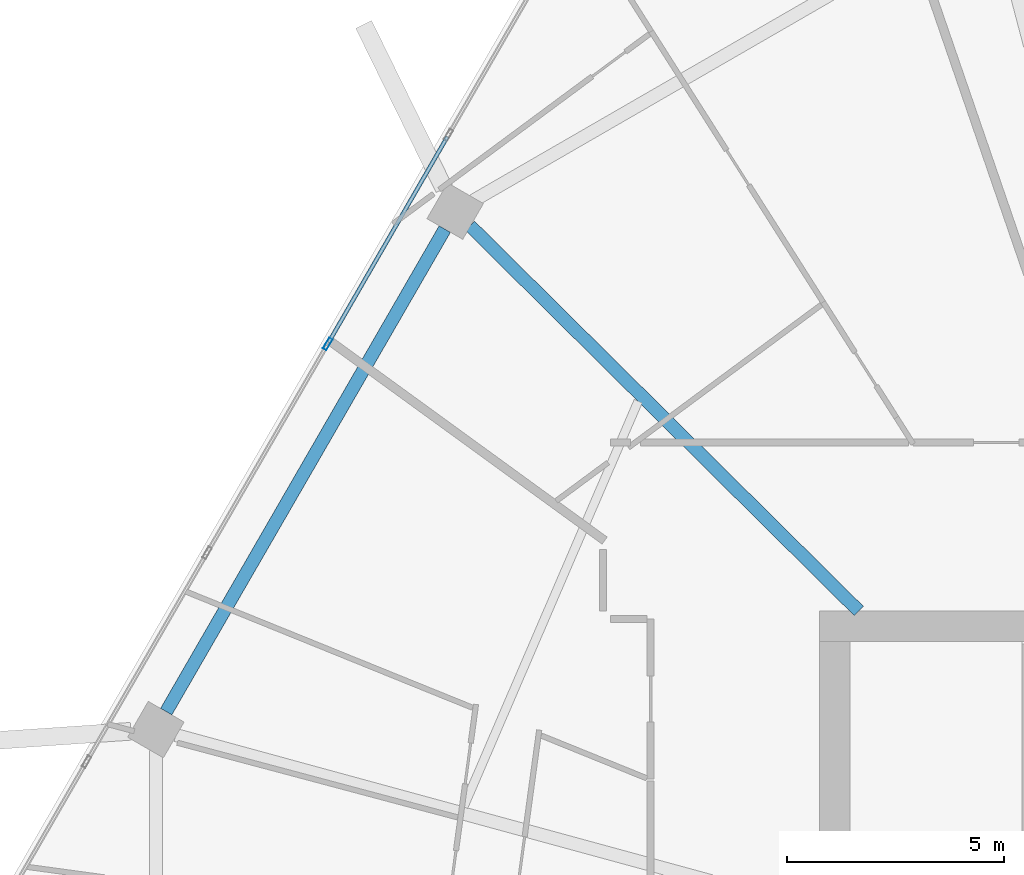
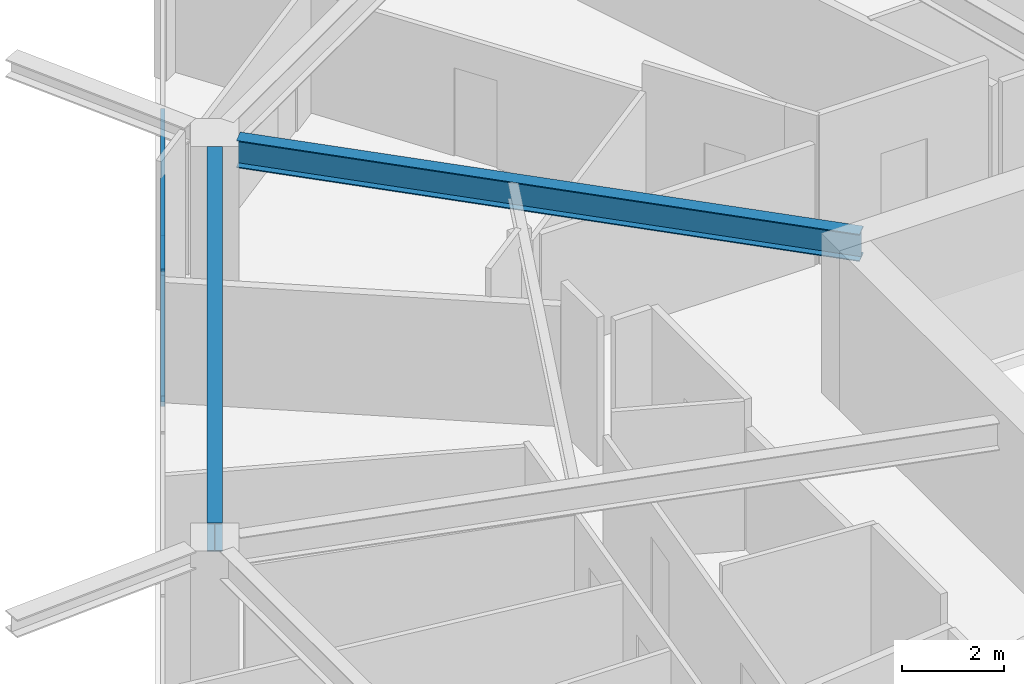
# One storey, part 11 of 26: 3 members, 2 beams, 1 element without a shape of its own.
"""IFC4 building model written with IfcOpenShell, lengths in metres."""

from ifc_helpers import new_model, si_unit, direction, frame, origin, origin_2d, place, context, subcontext, project, spatial, hollow_rectangle, i_section, extrude, material, material_profile, profile_set, type_object, element, aggregate, save


model = new_model("IFC4")

# Units and contexts
model_context = context("Model", 3, precision=1e-05, world=origin(), true_north=direction((0.0, 1.0)))
body_context = subcontext(model_context, "Body", "Model", "MODEL_VIEW")
ifc_project = project(units=[si_unit("LENGTHUNIT", "METRE"), si_unit("AREAUNIT", "SQUARE_METRE"), si_unit("VOLUMEUNIT", "CUBIC_METRE"), si_unit("PLANEANGLEUNIT", "RADIAN"), si_unit("MASSUNIT", "GRAM", prefix="KILO")], contexts=[model_context])

# Site, building, storey
site_placement = place(None, origin())
site = spatial("IfcSite", under=ifc_project, at=site_placement, CompositionType="ELEMENT")
building_placement = place(site_placement, origin())
building = spatial("IfcBuilding", under=site, at=building_placement, Name="Zuhravey Tower", CompositionType="ELEMENT")
storey_placement = place(building_placement, frame((0.0, 0.0, 203.60009765625)))
storey = spatial("IfcBuildingStorey", under=building, at=storey_placement, Name="L51", CompositionType="ELEMENT", Elevation=203.60009765625)

# Curtain wall, members
ifc_material_1 = material(Name="Thermally broken anodised aluminium", Category="aluminium")
curtain_wall_type = type_object("IfcCurtainWallType", Name="Zone 1-2 Residential Curtain Wall CW3", PredefinedType="NOTDEFINED", material=ifc_material_1)
curtain_wall_placement = place(storey_placement, origin())
curtain_wall = element("IfcCurtainWall", 1, at=curtain_wall_placement, inside=storey, type_object=curtain_wall_type, Name="L51 CW3 CW-L51-F3-1", PredefinedType="NOTDEFINED")
ifc_material_2 = material(Name="Anodised aluminium", Category="aluminium")
ifc_material_profile_1 = material_profile(ifc_material_2, hollow_rectangle(XDim=0.090087890625, YDim=0.284912109375, WallThickness=0.0048828125, at=origin_2d()), Name="ALU-RHS-90x285x5")
ifc_profile_set_1 = profile_set([ifc_material_profile_1], Name="Anodised aluminium")
member_type_1 = type_object("IfcMemberType", Name="Curtain-Wall Mullion 90x180", PredefinedType="MULLION", material=ifc_profile_set_1)
member_1_placement = place(storey_placement, frame((13.844970703125, 47.992431640625, 0.0), z_axis=(0.0, 0.0, 1.0), x_axis=(-0.866025138215, 0.500000459979, 0.0)))
member_1 = element("IfcMember", 2, at=member_1_placement, type_object=member_type_1, Name="CW3 mullion 4", PredefinedType="MULLION", context=body_context, shape_type="SweptSolid", body=[
    extrude(hollow_rectangle(XDim=0.090087890625, YDim=0.284912109375, WallThickness=0.0048828125, at=origin_2d()), origin(), (0.0, 0.0, 1.0), 3.121826171875),
])
ifc_material_profile_2 = material_profile(ifc_material_2, hollow_rectangle(XDim=0.090087890625, YDim=0.14990234375, WallThickness=0.0048828125, at=origin_2d()), Name="ALU-RHS-90x150x5")
ifc_profile_set_2 = profile_set([ifc_material_profile_2], Name="Anodised aluminium")
member_type_2 = type_object("IfcMemberType", Name="Curtain-Wall Transom 90x150", PredefinedType="USERDEFINED", material=ifc_profile_set_2)
member_2_placement = place(storey_placement, frame((13.867431640625, 48.03125, 0.044921875), z_axis=(0.49996138257, 0.86604769842, 0.0), x_axis=(-0.86604769842, 0.49996138257, 0.0)))
member_2 = element("IfcMember", 3, at=member_2_placement, type_object=member_type_2, Name="CW3 transom 4.1", ObjectType="TRANSOM", PredefinedType="USERDEFINED", context=body_context, shape_type="SweptSolid", body=[
    extrude(hollow_rectangle(XDim=0.090087890625, YDim=0.14990234375, WallThickness=0.0048828125, at=origin_2d()), origin(), (0.0, 0.0, 1.0), 5.45458984375),
])
member_3_placement = place(storey_placement, frame((13.867431640625, 48.03125, 3.076904296875), z_axis=(0.49996138257, 0.86604769842, 0.0), x_axis=(-0.86604769842, 0.49996138257, 0.0)))
member_3 = element("IfcMember", 4, at=member_3_placement, type_object=member_type_2, Name="CW3 transom 4.2", ObjectType="TRANSOM", PredefinedType="USERDEFINED", context=body_context, shape_type="SweptSolid", body=[
    extrude(hollow_rectangle(XDim=0.090087890625, YDim=0.14990234375, WallThickness=0.0048828125, at=origin_2d()), origin(), (0.0, 0.0, 1.0), 5.45458984375),
])
aggregate(curtain_wall, [member_1, member_2, member_3])

# Beams
ifc_material_3 = material(Name="Steel SM355", Category="steel")
ifc_material_profile_3 = material_profile(ifc_material_3, i_section(OverallWidth=0.300048828125, OverallDepth=0.679931640625, WebThickness=0.012939453125, FlangeThickness=0.02197265625, at=origin_2d()), Name="H-680x300x13x22")
ifc_profile_set_3 = profile_set([ifc_material_profile_3], Name="Steel SM355")
beam_type_1 = type_object("IfcBeamType", Name="Perimeter Ring Beam H680x300", PredefinedType="BEAM", material=ifc_profile_set_3)
beam_1_placement = place(storey_placement, frame((16.535400390625, 50.632568359375, 3.2099609375), z_axis=(-0.500003505699, -0.866023379758, 0.0), x_axis=(0.866023379758, -0.500003505699, 0.0)))
element("IfcBeam", 5, at=beam_1_placement, inside=storey, type_object=beam_type_1, Name="L51 PB2 BM-L51-PB-05", PredefinedType="BEAM", context=body_context, shape_type="SweptSolid", body=[
    extrude(i_section(OverallWidth=0.300048828125, OverallDepth=0.679931640625, WebThickness=0.012939453125, FlangeThickness=0.02197265625, at=origin_2d()), origin(), (0.0, 0.0, 1.0), 12.80810546875),
])
ifc_material_profile_4 = material_profile(ifc_material_3, i_section(OverallWidth=0.300048828125, OverallDepth=0.64990234375, WebThickness=0.012939453125, FlangeThickness=0.02197265625, at=origin_2d()), Name="H-650x300x13x22")
ifc_profile_set_4 = profile_set([ifc_material_profile_4], Name="Steel SM355")
beam_type_2 = type_object("IfcBeamType", Name="Radial Primary Girder H650x300", PredefinedType="BEAM", material=ifc_profile_set_4)
beam_2_placement = place(storey_placement, frame((26.054443359375, 41.85302734375, 3.224853515625), z_axis=(-0.710406645816, 0.703791444663, 0.0), x_axis=(-0.703791444663, -0.710406645816, 0.0)))
element("IfcBeam", 6, at=beam_2_placement, inside=storey, type_object=beam_type_2, Name="L51 RG2 BM-L51-RAD-05", PredefinedType="BEAM", context=body_context, shape_type="SweptSolid", body=[
    extrude(i_section(OverallWidth=0.300048828125, OverallDepth=0.64990234375, WebThickness=0.012939453125, FlangeThickness=0.02197265625, at=origin_2d()), origin(), (0.0, 0.0, 1.0), 12.5849609375),
])

save(model, "model.ifc")
